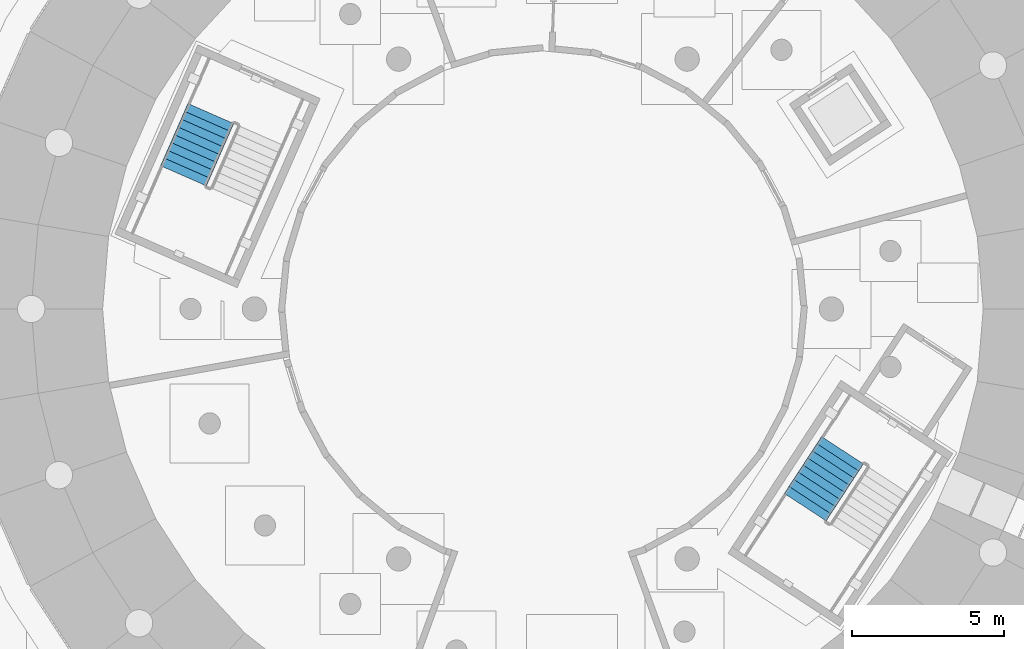
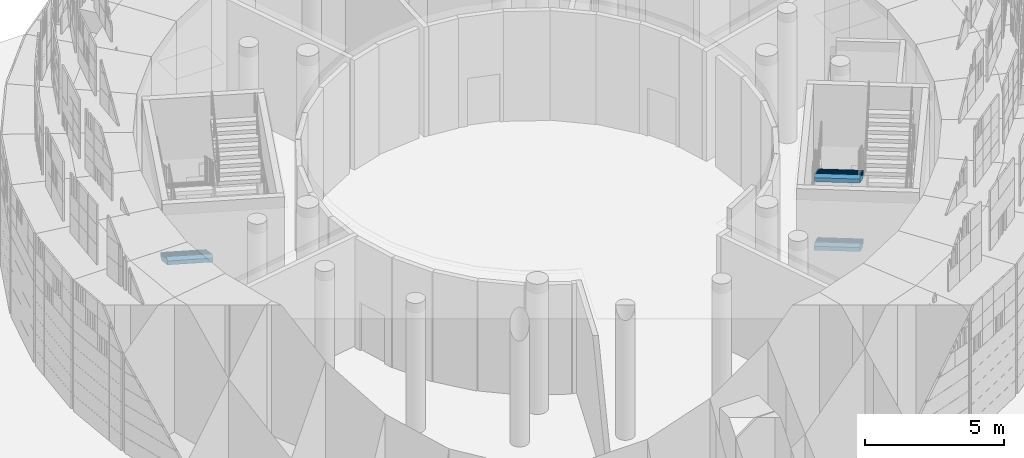
# One storey, part 68 of 125: 3 stair flights, 2 elements without a shape of their own.
"""IFC4 building model written with IfcOpenShell, lengths in metres."""

import ifcopenshell
import ifcopenshell.guid

model = None  # the IFC model being written
_history = None  # IfcOwnerHistory: only IFC2X3 demands one
_inside = {}  # id of a spatial element -> (the spatial element, [elements in it])
_under = {}  # id of a project, library or spatial element -> (it, [spatial elements below it])
_declared = {}  # id of a project -> (the project, [libraries it declares])
_typed = {}  # id of a type object -> (the type object, [elements of that type])
_made_of = {}  # id of a material, layer set ... -> (it, [elements and type objects made of it])


def new_model(schema):
    """Start an empty IFC model of exactly this schema.

    Asked for "IFC4X3", IfcOpenShell would pick the latest addendum, in which some entities
    have other attributes; the version numbers below select the first issue.
    IFC2X3 requires an IfcOwnerHistory on every rooted entity: one is made here for all.
    """
    global model, _history
    if schema == "IFC4X3":
        model = ifcopenshell.file(schema_version=(4, 3, 0, 0))
    else:
        model = ifcopenshell.file(schema=schema)
    _inside.clear()
    _under.clear()
    _declared.clear()
    _typed.clear()
    _made_of.clear()
    _history = None
    if model.schema == "IFC2X3":
        org = make("IfcOrganization", Name="unknown")
        user = make(
            "IfcPersonAndOrganization",
            ThePerson=make("IfcPerson", FamilyName="unknown"),
            TheOrganization=org,
        )
        app = make(
            "IfcApplication",
            ApplicationDeveloper=org,
            Version="unknown",
            ApplicationFullName="unknown",
            ApplicationIdentifier="unknown",
        )
        _history = make(
            "IfcOwnerHistory",
            OwningUser=user,
            OwningApplication=app,
            ChangeAction="ADDED",
            CreationDate=0,
        )
    return model


def make(cls, **values):
    """One entity of the class cls with the attributes given. An attribute that is None is left unset."""
    return model.create_entity(
        cls, **{name: value for name, value in values.items() if value is not None}
    )


def rooted(cls, **values):
    """An entity with a GlobalId (a new one), such as an element, a storey or a relation."""
    return make(cls, GlobalId=ifcopenshell.guid.new(), OwnerHistory=_history, **values)


def si_unit(unit_type, name, prefix=None):
    """IfcSIUnit, for example si_unit("LENGTHUNIT", "METRE", prefix="MILLI")."""
    return make("IfcSIUnit", UnitType=unit_type, Prefix=prefix, Name=name)


def assignment(units):
    """IfcUnitAssignment: the units of a project."""
    return None if units is None else make("IfcUnitAssignment", Units=units)


def point(xyz):
    """IfcCartesianPoint."""
    return None if xyz is None else make("IfcCartesianPoint", Coordinates=xyz)


def direction(xyz):
    """IfcDirection."""
    return None if xyz is None else make("IfcDirection", DirectionRatios=xyz)


def frame(location, z_axis=None, x_axis=None):
    """IfcAxis2Placement3D, a coordinate frame: its origin and axes. An axis left out is left unset."""
    return make(
        "IfcAxis2Placement3D",
        Location=point(location),
        Axis=direction(z_axis),
        RefDirection=direction(x_axis),
    )


def origin():
    """The frame at (0, 0, 0) with its axes left unset."""
    return frame((0.0, 0.0, 0.0))


def place(relative_to, where):
    """IfcLocalPlacement: puts the frame where relative to a parent placement (None: the world)."""
    return make(
        "IfcLocalPlacement", PlacementRelTo=relative_to, RelativePlacement=where
    )


def context(
    kind, dimensions, precision=None, world=None, true_north=None, identifier=None
):
    """IfcGeometricRepresentationContext, for example the 3D "Model" context."""
    return make(
        "IfcGeometricRepresentationContext",
        ContextIdentifier=identifier,
        ContextType=kind,
        CoordinateSpaceDimension=dimensions,
        Precision=precision,
        WorldCoordinateSystem=world,
        TrueNorth=true_north,
    )


def subcontext(parent, identifier, kind, view, scale=None):
    """IfcGeometricRepresentationSubContext, for example "Body" below "Model"."""
    return make(
        "IfcGeometricRepresentationSubContext",
        ContextIdentifier=identifier,
        ContextType=kind,
        ParentContext=parent,
        TargetScale=scale,
        TargetView=view,
    )


def project(units=None, contexts=None):
    """IfcProject with its units and contexts."""
    return rooted(
        "IfcProject",
        Name="project",
        RepresentationContexts=contexts,
        UnitsInContext=assignment(units),
    )


def spatial(cls, under=None, at=None, **own):
    """A site, building, storey or space (cls), placed at a placement, below another one or the project."""
    s = rooted(cls, ObjectPlacement=at, **own)
    if under is not None:
        _under.setdefault(under.id(), (under, []))[1].append(s)
    return s


def polyline(points):
    """IfcPolyline through the points."""
    return make("IfcPolyline", Points=[point(p) for p in points])


def outline(outer, holes=None, kind="AREA"):
    """IfcArbitraryClosedProfileDef: a profile drawn as a closed curve; with holes, ...WithVoids."""
    if holes is None:
        return make("IfcArbitraryClosedProfileDef", ProfileType=kind, OuterCurve=outer)
    return make(
        "IfcArbitraryProfileDefWithVoids",
        ProfileType=kind,
        OuterCurve=outer,
        InnerCurves=holes,
    )


def extrude(swept, where, along, depth):
    """IfcExtrudedAreaSolid: the profile swept, set in the frame where, extruded along a direction by depth."""
    return make(
        "IfcExtrudedAreaSolid",
        SweptArea=swept,
        Position=where,
        ExtrudedDirection=direction(along),
        Depth=depth,
    )


def shape(context_of_items, identifier, shape_type, items):
    """IfcShapeRepresentation: the items that make up one representation, for example the "Body"."""
    return make(
        "IfcShapeRepresentation",
        ContextOfItems=context_of_items,
        RepresentationIdentifier=identifier,
        RepresentationType=shape_type,
        Items=items,
    )


def material(Name=None, Category=None):
    """IfcMaterial."""
    return make("IfcMaterial", Name=Name, Category=Category)


def made_of(thing, what):
    """Note that an element or type object is made of a material, layer set ...; save() writes the relation."""
    if what is not None:
        _made_of.setdefault(what.id(), (what, []))[1].append(thing)
    return thing


def type_object(cls, material=None, **own):
    """A type object (cls), such as IfcWallType, which elements share."""
    return made_of(rooted(cls, **own), material)


def element(
    cls,
    number,
    at=None,
    inside=None,
    cuts=None,
    type_object=None,
    material=None,
    context=None,
    identifier="Body",
    shape_type=None,
    held_by="IfcProductDefinitionShape",
    body=None,
    shapes=None,
    **own,
):
    """One element of the class cls, such as IfcWall. Its Tag is "e" and its number.

    at: its placement. inside: the storey or other place that contains it. cuts: it is an
    opening in that element (IfcRelVoidsElement). A single representation is given by context,
    identifier, shape_type and body (its items); several are given by shapes. held_by: the class
    of the entity that holds the representations. save() writes the other relations.
    """
    e = rooted(cls, Tag="e%d" % number, ObjectPlacement=at, **own)
    if body is not None:
        shapes = [shape(context, identifier, shape_type, body)]
    if shapes is not None:
        e.Representation = make(held_by, Representations=shapes)
    if inside is not None:
        _inside.setdefault(inside.id(), (inside, []))[1].append(e)
    if cuts is not None:
        rooted(
            "IfcRelVoidsElement", RelatingBuildingElement=cuts, RelatedOpeningElement=e
        )
    if type_object is not None:
        _typed.setdefault(type_object.id(), (type_object, []))[1].append(e)
    return made_of(e, material)


def aggregate(whole, parts):
    """IfcRelAggregates: a whole, such as a stair, and the parts it consists of."""
    return rooted("IfcRelAggregates", RelatingObject=whole, RelatedObjects=parts)


def save(model, path):
    """Write the relations noted so far, then the file.

    IfcRelAggregates (storeys below a building ...), IfcRelContainedInSpatialStructure (elements
    in a storey), IfcRelDefinesByType, IfcRelAssociatesMaterial and IfcRelDeclares: one each for
    every whole, place, type object, material and project.
    """
    for whole, parts in _under.values():
        aggregate(whole, parts)
    for where, things in _inside.values():
        rooted(
            "IfcRelContainedInSpatialStructure",
            RelatedElements=things,
            RelatingStructure=where,
        )
    for kind, things in _typed.values():
        rooted("IfcRelDefinesByType", RelatedObjects=things, RelatingType=kind)
    for what, things in _made_of.values():
        rooted("IfcRelAssociatesMaterial", RelatedObjects=things, RelatingMaterial=what)
    for by, libraries in _declared.values():
        rooted("IfcRelDeclares", RelatingContext=by, RelatedDefinitions=libraries)
    model.write(path)


model = new_model("IFC4")

# Units and contexts
model_context = context("Model", 3, precision=1e-05, world=origin(), true_north=direction((0.0, 1.0)))
body_context = subcontext(model_context, "Body", "Model", "MODEL_VIEW")
ifc_project = project(units=[si_unit("LENGTHUNIT", "METRE"), si_unit("AREAUNIT", "SQUARE_METRE"), si_unit("VOLUMEUNIT", "CUBIC_METRE"), si_unit("PLANEANGLEUNIT", "RADIAN"), si_unit("MASSUNIT", "GRAM", prefix="KILO")], contexts=[model_context])

# Site, building, storey
site_placement = place(None, origin())
site = spatial("IfcSite", under=ifc_project, at=site_placement, CompositionType="ELEMENT")
building_placement = place(site_placement, origin())
building = spatial("IfcBuilding", under=site, at=building_placement, Name="Sun Court Science Centre", CompositionType="ELEMENT")
storey_placement = place(building_placement, origin())
storey = spatial("IfcBuildingStorey", under=building, at=storey_placement, Name="L00", CompositionType="ELEMENT", Elevation=0.0)

# Stair, stair flights
ifc_material_1 = material(Name="Concrete C25/30", Category="concrete")
stair_type = type_object("IfcStairType", Name="Stair 1500 drum half-turn", PredefinedType="HALF_TURN_STAIR", material=ifc_material_1)
stair_1_placement = place(storey_placement, origin())
stair_1 = element("IfcStair", 1, at=stair_1_placement, inside=storey, type_object=stair_type, Name="L00 Stair PS1", PredefinedType="HALF_TURN_STAIR")
ifc_material_2 = material(Name="Concrete C25/30", Category="concrete")
stair_flight_type = type_object("IfcStairFlightType", Name="Stair flight 1500 with waist", PredefinedType="STRAIGHT", material=ifc_material_2)
stair_flight_1_placement = place(storey_placement, frame((60.86376953125, 92.14990234375, 0.0), z_axis=(0.0, 0.0, 1.0), x_axis=(-0.546948161968, -0.83716647575, 0.0)))
stair_flight_1 = element("IfcStairFlight", 2, at=stair_flight_1_placement, type_object=stair_flight_type, Name="PS1 flight 1", NumberOfRisers=9, NumberOfTreads=8, PredefinedType="STRAIGHT", RiserHeight=0.166666667, TreadLength=0.28, context=body_context, shape_type="SweptSolid", body=[
    extrude(outline(polyline([(0.0, 0.0), (0.0, 0.00244140625), (0.0, 0.0048828125), (0.0, 0.00732421875), (0.0, 0.009765625), (0.0, 0.01220703125), (0.0, 0.0146484375), (0.0, 0.01708984375), (0.0, 0.01953125), (0.0, 0.02197265625), (0.0, 0.0244140625), (0.0, 0.02685546875), (0.0, 0.029296875), (0.0, 0.03173828125), (0.0, 0.0341796875), (0.0, 0.03662109375), (0.0, 0.0390625), (0.0, 0.04150390625), (0.0, 0.0439453125), (0.0, 0.04638671875), (0.0, 0.048828125), (0.0, 0.05126953125), (0.0, 0.0537109375), (0.0, 0.05615234375), (0.0, 0.05859375), (0.0, 0.06103515625), (0.0, 0.0634765625), (0.0, 0.06591796875), (0.0, 0.068359375), (0.0, 0.07080078125), (0.0, 0.0732421875), (0.0, 0.07568359375), (0.0, 0.078125), (0.0, 0.08056640625), (0.0, 0.0830078125), (0.0, 0.08544921875), (0.0, 0.087890625), (0.0, 0.09033203125), (0.0, 0.0927734375), (0.0, 0.09521484375), (0.0, 0.09765625), (0.0, 0.10009765625), (0.0, 0.1025390625), (0.0, 0.10498046875), (0.0, 0.107421875), (0.0, 0.10986328125), (0.0, 0.1123046875), (0.0, 0.11474609375), (0.0, 0.1171875), (0.0, 0.11962890625), (0.0, 0.1220703125), (0.0, 0.12451171875), (0.0, 0.126953125), (0.0, 0.12939453125), (0.0, 0.1318359375), (0.0, 0.13427734375), (0.0, 0.13671875), (0.0, 0.13916015625), (0.0, 0.1416015625), (0.0, 0.14404296875), (0.0, 0.146484375), (0.0, 0.14892578125), (0.0, 0.1513671875), (0.0, 0.15380859375), (0.0, 0.15625), (0.0, 0.15869140625), (0.0, 0.1611328125), (0.0, 0.16357421875), (0.0, 0.166748046875), (0.280029296875, 0.166748046875), (0.280029296875, 0.333251953125), (0.56005859375, 0.333251953125), (0.56005859375, 0.5), (0.840087890625, 0.5), (0.840087890625, 0.666748046875), (1.1201171875, 0.666748046875), (1.1201171875, 0.833251953125), (1.39990234375, 0.833251953125), (1.39990234375, 1.0), (1.679931640625, 1.0), (1.679931640625, 1.166748046875), (1.9599609375, 1.166748046875), (1.9599609375, 1.333251953125), (2.239990234375, 1.333251953125), (2.239990234375, 1.335693359375), (2.239990234375, 1.338134765625), (2.239990234375, 1.340576171875), (2.239990234375, 1.343017578125), (2.239990234375, 1.345458984375), (2.239990234375, 1.347900390625), (2.239990234375, 1.350341796875), (2.239990234375, 1.352783203125), (2.239990234375, 1.355224609375), (2.239990234375, 1.357666015625), (2.239990234375, 1.360107421875), (2.239990234375, 1.362548828125), (2.239990234375, 1.364990234375), (2.239990234375, 1.367431640625), (2.239990234375, 1.369873046875), (2.239990234375, 1.372314453125), (2.239990234375, 1.374755859375), (2.239990234375, 1.377197265625), (2.239990234375, 1.379638671875), (2.239990234375, 1.382080078125), (2.239990234375, 1.384521484375), (2.239990234375, 1.386962890625), (2.239990234375, 1.389404296875), (2.239990234375, 1.391845703125), (2.239990234375, 1.394287109375), (2.239990234375, 1.396728515625), (2.239990234375, 1.399169921875), (2.239990234375, 1.401611328125), (2.239990234375, 1.404052734375), (2.239990234375, 1.406494140625), (2.239990234375, 1.408935546875), (2.239990234375, 1.411376953125), (2.239990234375, 1.413818359375), (2.239990234375, 1.416259765625), (2.239990234375, 1.418701171875), (2.239990234375, 1.421142578125), (2.239990234375, 1.423583984375), (2.239990234375, 1.426025390625), (2.239990234375, 1.428466796875), (2.239990234375, 1.430908203125), (2.239990234375, 1.433349609375), (2.239990234375, 1.435791015625), (2.239990234375, 1.438232421875), (2.239990234375, 1.440673828125), (2.239990234375, 1.443115234375), (2.239990234375, 1.445556640625), (2.239990234375, 1.447998046875), (2.239990234375, 1.450439453125), (2.239990234375, 1.452880859375), (2.239990234375, 1.455322265625), (2.239990234375, 1.457763671875), (2.239990234375, 1.460205078125), (2.239990234375, 1.462646484375), (2.239990234375, 1.465087890625), (2.239990234375, 1.467529296875), (2.239990234375, 1.469970703125), (2.239990234375, 1.472412109375), (2.239990234375, 1.474853515625), (2.239990234375, 1.477294921875), (2.239990234375, 1.479736328125), (2.239990234375, 1.482177734375), (2.239990234375, 1.484619140625), (2.239990234375, 1.487060546875), (2.239990234375, 1.489501953125), (2.239990234375, 1.491943359375), (2.239990234375, 1.494384765625), (2.239990234375, 1.496826171875), (2.239990234375, 1.5), (2.239990234375, 1.49755859375), (2.239990234375, 1.4951171875), (2.239990234375, 1.49267578125), (2.239990234375, 1.490234375), (2.239990234375, 1.48779296875), (2.239990234375, 1.4853515625), (2.239990234375, 1.48291015625), (2.239990234375, 1.48046875), (2.239990234375, 1.47802734375), (2.239990234375, 1.4755859375), (2.239990234375, 1.47314453125), (2.239990234375, 1.470703125), (2.239990234375, 1.46826171875), (2.239990234375, 1.4658203125), (2.239990234375, 1.46337890625), (2.239990234375, 1.4609375), (2.239990234375, 1.45849609375), (2.239990234375, 1.4560546875), (2.239990234375, 1.45361328125), (2.239990234375, 1.451171875), (2.239990234375, 1.44873046875), (2.239990234375, 1.4462890625), (2.239990234375, 1.44384765625), (2.239990234375, 1.44140625), (2.239990234375, 1.43896484375), (2.239990234375, 1.4365234375), (2.239990234375, 1.43408203125), (2.239990234375, 1.431640625), (2.239990234375, 1.42919921875), (2.239990234375, 1.4267578125), (2.239990234375, 1.42431640625), (2.239990234375, 1.421875), (2.239990234375, 1.41943359375), (2.239990234375, 1.4169921875), (2.239990234375, 1.41455078125), (2.239990234375, 1.412109375), (2.239990234375, 1.40966796875), (2.239990234375, 1.4072265625), (2.239990234375, 1.40478515625), (2.239990234375, 1.40234375), (2.239990234375, 1.39990234375), (2.239990234375, 1.3974609375), (2.239990234375, 1.39501953125), (2.239990234375, 1.392578125), (2.239990234375, 1.39013671875), (2.239990234375, 1.3876953125), (2.239990234375, 1.38525390625), (2.239990234375, 1.3828125), (2.239990234375, 1.38037109375), (2.239990234375, 1.3779296875), (2.239990234375, 1.37548828125), (2.239990234375, 1.373046875), (2.239990234375, 1.37060546875), (2.239990234375, 1.3681640625), (2.239990234375, 1.36572265625), (2.239990234375, 1.36328125), (2.239990234375, 1.36083984375), (2.239990234375, 1.3583984375), (2.239990234375, 1.35595703125), (2.239990234375, 1.353515625), (2.239990234375, 1.35107421875), (2.239990234375, 1.3486328125), (2.239990234375, 1.34619140625), (2.239990234375, 1.34375), (2.239990234375, 1.34130859375), (2.239990234375, 1.3388671875), (2.239990234375, 1.33642578125), (2.239990234375, 1.333984375), (2.239990234375, 1.33154296875), (2.239990234375, 1.3291015625), (2.239990234375, 1.32666015625), (2.239990234375, 1.32421875), (2.239990234375, 1.32177734375), (2.239990234375, 1.3193359375), (2.239990234375, 1.31689453125), (2.239990234375, 1.314453125), (2.239990234375, 1.31201171875), (2.239990234375, 1.3095703125), (2.239990234375, 1.30712890625), (2.239990234375, 1.3046875), (2.239990234375, 1.30224609375), (2.239990234375, 1.2998046875), (2.239990234375, 1.29736328125), (2.239990234375, 1.294921875), (2.239990234375, 1.29248046875), (2.239990234375, 1.2900390625), (2.239990234375, 1.28759765625), (2.239990234375, 1.28515625), (2.239990234375, 1.28271484375), (2.239990234375, 1.2802734375), (2.239990234375, 1.27783203125), (2.239990234375, 1.275390625), (2.239990234375, 1.27294921875), (2.239990234375, 1.2705078125), (2.239990234375, 1.26806640625), (2.239990234375, 1.265625), (2.239990234375, 1.26318359375), (2.239990234375, 1.2607421875), (2.239990234375, 1.25830078125), (2.239990234375, 1.255859375), (2.239990234375, 1.25341796875), (2.239990234375, 1.2509765625), (2.239990234375, 1.24853515625), (2.239990234375, 1.24609375), (2.239990234375, 1.24365234375), (2.239990234375, 1.2412109375), (2.239990234375, 1.23876953125), (2.239990234375, 1.236328125), (2.239990234375, 1.23388671875), (2.239990234375, 1.2314453125), (2.239990234375, 1.22900390625), (2.239990234375, 1.2265625), (2.239990234375, 1.22412109375), (2.239990234375, 1.2216796875), (2.239990234375, 1.21923828125), (2.239990234375, 1.216796875), (2.239990234375, 1.21435546875), (2.239990234375, 1.2119140625), (2.239990234375, 1.20947265625), (2.239990234375, 1.20703125), (2.239990234375, 1.20458984375), (2.239990234375, 1.2021484375), (2.239990234375, 1.19970703125), (2.239990234375, 1.197265625), (2.239990234375, 1.19482421875), (2.239990234375, 1.1923828125), (2.239990234375, 1.18994140625), (2.239990234375, 1.1875), (2.239990234375, 1.18505859375), (2.239990234375, 1.1826171875), (2.239990234375, 1.18017578125), (2.239990234375, 1.177734375), (2.239990234375, 1.17529296875), (2.239990234375, 1.1728515625), (2.239990234375, 1.17041015625), (2.239990234375, 1.16796875), (2.239990234375, 1.16552734375), (2.239990234375, 1.1630859375), (2.239990234375, 1.158935546875), (0.29296875, 0.0), (0.0, 0.0)])), frame((0.0, 0.823974609375, 0.0), z_axis=(0.0, -1.0, 0.0), x_axis=(1.0, 0.0, 0.0)), (0.0, 0.0, 1.0), 1.64794921875),
])
stair_flight_2_placement = place(storey_placement, frame((60.86376953125, 92.14990234375, 3.0), z_axis=(0.0, 0.0, 1.0), x_axis=(-0.546948161968, -0.83716647575, 0.0)))
stair_flight_2 = element("IfcStairFlight", 3, at=stair_flight_2_placement, type_object=stair_flight_type, Name="PS1 flight 3", NumberOfRisers=9, NumberOfTreads=8, PredefinedType="STRAIGHT", RiserHeight=0.166666667, TreadLength=0.28, context=body_context, shape_type="SweptSolid", body=[
    extrude(outline(polyline([(0.0, 0.0), (0.0, 0.00244140625), (0.0, 0.0048828125), (0.0, 0.00732421875), (0.0, 0.009765625), (0.0, 0.01220703125), (0.0, 0.0146484375), (0.0, 0.01708984375), (0.0, 0.01953125), (0.0, 0.02197265625), (0.0, 0.0244140625), (0.0, 0.02685546875), (0.0, 0.029296875), (0.0, 0.03173828125), (0.0, 0.0341796875), (0.0, 0.03662109375), (0.0, 0.0390625), (0.0, 0.04150390625), (0.0, 0.0439453125), (0.0, 0.04638671875), (0.0, 0.048828125), (0.0, 0.05126953125), (0.0, 0.0537109375), (0.0, 0.05615234375), (0.0, 0.05859375), (0.0, 0.06103515625), (0.0, 0.0634765625), (0.0, 0.06591796875), (0.0, 0.068359375), (0.0, 0.07080078125), (0.0, 0.0732421875), (0.0, 0.07568359375), (0.0, 0.078125), (0.0, 0.08056640625), (0.0, 0.0830078125), (0.0, 0.08544921875), (0.0, 0.087890625), (0.0, 0.09033203125), (0.0, 0.0927734375), (0.0, 0.09521484375), (0.0, 0.09765625), (0.0, 0.10009765625), (0.0, 0.1025390625), (0.0, 0.10498046875), (0.0, 0.107421875), (0.0, 0.10986328125), (0.0, 0.1123046875), (0.0, 0.11474609375), (0.0, 0.1171875), (0.0, 0.11962890625), (0.0, 0.1220703125), (0.0, 0.12451171875), (0.0, 0.126953125), (0.0, 0.12939453125), (0.0, 0.1318359375), (0.0, 0.13427734375), (0.0, 0.13671875), (0.0, 0.13916015625), (0.0, 0.1416015625), (0.0, 0.14404296875), (0.0, 0.146484375), (0.0, 0.14892578125), (0.0, 0.1513671875), (0.0, 0.15380859375), (0.0, 0.15625), (0.0, 0.15869140625), (0.0, 0.1611328125), (0.0, 0.16357421875), (0.0, 0.166748046875), (0.280029296875, 0.166748046875), (0.280029296875, 0.333251953125), (0.56005859375, 0.333251953125), (0.56005859375, 0.5), (0.840087890625, 0.5), (0.840087890625, 0.666748046875), (1.1201171875, 0.666748046875), (1.1201171875, 0.833251953125), (1.39990234375, 0.833251953125), (1.39990234375, 1.0), (1.679931640625, 1.0), (1.679931640625, 1.166748046875), (1.9599609375, 1.166748046875), (1.9599609375, 1.333251953125), (2.239990234375, 1.333251953125), (2.239990234375, 1.335693359375), (2.239990234375, 1.338134765625), (2.239990234375, 1.340576171875), (2.239990234375, 1.343017578125), (2.239990234375, 1.345458984375), (2.239990234375, 1.347900390625), (2.239990234375, 1.350341796875), (2.239990234375, 1.352783203125), (2.239990234375, 1.355224609375), (2.239990234375, 1.357666015625), (2.239990234375, 1.360107421875), (2.239990234375, 1.362548828125), (2.239990234375, 1.364990234375), (2.239990234375, 1.367431640625), (2.239990234375, 1.369873046875), (2.239990234375, 1.372314453125), (2.239990234375, 1.374755859375), (2.239990234375, 1.377197265625), (2.239990234375, 1.379638671875), (2.239990234375, 1.382080078125), (2.239990234375, 1.384521484375), (2.239990234375, 1.386962890625), (2.239990234375, 1.389404296875), (2.239990234375, 1.391845703125), (2.239990234375, 1.394287109375), (2.239990234375, 1.396728515625), (2.239990234375, 1.399169921875), (2.239990234375, 1.401611328125), (2.239990234375, 1.404052734375), (2.239990234375, 1.406494140625), (2.239990234375, 1.408935546875), (2.239990234375, 1.411376953125), (2.239990234375, 1.413818359375), (2.239990234375, 1.416259765625), (2.239990234375, 1.418701171875), (2.239990234375, 1.421142578125), (2.239990234375, 1.423583984375), (2.239990234375, 1.426025390625), (2.239990234375, 1.428466796875), (2.239990234375, 1.430908203125), (2.239990234375, 1.433349609375), (2.239990234375, 1.435791015625), (2.239990234375, 1.438232421875), (2.239990234375, 1.440673828125), (2.239990234375, 1.443115234375), (2.239990234375, 1.445556640625), (2.239990234375, 1.447998046875), (2.239990234375, 1.450439453125), (2.239990234375, 1.452880859375), (2.239990234375, 1.455322265625), (2.239990234375, 1.457763671875), (2.239990234375, 1.460205078125), (2.239990234375, 1.462646484375), (2.239990234375, 1.465087890625), (2.239990234375, 1.467529296875), (2.239990234375, 1.469970703125), (2.239990234375, 1.472412109375), (2.239990234375, 1.474853515625), (2.239990234375, 1.477294921875), (2.239990234375, 1.479736328125), (2.239990234375, 1.482177734375), (2.239990234375, 1.484619140625), (2.239990234375, 1.487060546875), (2.239990234375, 1.489501953125), (2.239990234375, 1.491943359375), (2.239990234375, 1.494384765625), (2.239990234375, 1.496826171875), (2.239990234375, 1.5), (2.239990234375, 1.49755859375), (2.239990234375, 1.4951171875), (2.239990234375, 1.49267578125), (2.239990234375, 1.490234375), (2.239990234375, 1.48779296875), (2.239990234375, 1.4853515625), (2.239990234375, 1.48291015625), (2.239990234375, 1.48046875), (2.239990234375, 1.47802734375), (2.239990234375, 1.4755859375), (2.239990234375, 1.47314453125), (2.239990234375, 1.470703125), (2.239990234375, 1.46826171875), (2.239990234375, 1.4658203125), (2.239990234375, 1.46337890625), (2.239990234375, 1.4609375), (2.239990234375, 1.45849609375), (2.239990234375, 1.4560546875), (2.239990234375, 1.45361328125), (2.239990234375, 1.451171875), (2.239990234375, 1.44873046875), (2.239990234375, 1.4462890625), (2.239990234375, 1.44384765625), (2.239990234375, 1.44140625), (2.239990234375, 1.43896484375), (2.239990234375, 1.4365234375), (2.239990234375, 1.43408203125), (2.239990234375, 1.431640625), (2.239990234375, 1.42919921875), (2.239990234375, 1.4267578125), (2.239990234375, 1.42431640625), (2.239990234375, 1.421875), (2.239990234375, 1.41943359375), (2.239990234375, 1.4169921875), (2.239990234375, 1.41455078125), (2.239990234375, 1.412109375), (2.239990234375, 1.40966796875), (2.239990234375, 1.4072265625), (2.239990234375, 1.40478515625), (2.239990234375, 1.40234375), (2.239990234375, 1.39990234375), (2.239990234375, 1.3974609375), (2.239990234375, 1.39501953125), (2.239990234375, 1.392578125), (2.239990234375, 1.39013671875), (2.239990234375, 1.3876953125), (2.239990234375, 1.38525390625), (2.239990234375, 1.3828125), (2.239990234375, 1.38037109375), (2.239990234375, 1.3779296875), (2.239990234375, 1.37548828125), (2.239990234375, 1.373046875), (2.239990234375, 1.37060546875), (2.239990234375, 1.3681640625), (2.239990234375, 1.36572265625), (2.239990234375, 1.36328125), (2.239990234375, 1.36083984375), (2.239990234375, 1.3583984375), (2.239990234375, 1.35595703125), (2.239990234375, 1.353515625), (2.239990234375, 1.35107421875), (2.239990234375, 1.3486328125), (2.239990234375, 1.34619140625), (2.239990234375, 1.34375), (2.239990234375, 1.34130859375), (2.239990234375, 1.3388671875), (2.239990234375, 1.33642578125), (2.239990234375, 1.333984375), (2.239990234375, 1.33154296875), (2.239990234375, 1.3291015625), (2.239990234375, 1.32666015625), (2.239990234375, 1.32421875), (2.239990234375, 1.32177734375), (2.239990234375, 1.3193359375), (2.239990234375, 1.31689453125), (2.239990234375, 1.314453125), (2.239990234375, 1.31201171875), (2.239990234375, 1.3095703125), (2.239990234375, 1.30712890625), (2.239990234375, 1.3046875), (2.239990234375, 1.30224609375), (2.239990234375, 1.2998046875), (2.239990234375, 1.29736328125), (2.239990234375, 1.294921875), (2.239990234375, 1.29248046875), (2.239990234375, 1.2900390625), (2.239990234375, 1.28759765625), (2.239990234375, 1.28515625), (2.239990234375, 1.28271484375), (2.239990234375, 1.2802734375), (2.239990234375, 1.27783203125), (2.239990234375, 1.275390625), (2.239990234375, 1.27294921875), (2.239990234375, 1.2705078125), (2.239990234375, 1.26806640625), (2.239990234375, 1.265625), (2.239990234375, 1.26318359375), (2.239990234375, 1.2607421875), (2.239990234375, 1.25830078125), (2.239990234375, 1.255859375), (2.239990234375, 1.25341796875), (2.239990234375, 1.2509765625), (2.239990234375, 1.24853515625), (2.239990234375, 1.24609375), (2.239990234375, 1.24365234375), (2.239990234375, 1.2412109375), (2.239990234375, 1.23876953125), (2.239990234375, 1.236328125), (2.239990234375, 1.23388671875), (2.239990234375, 1.2314453125), (2.239990234375, 1.22900390625), (2.239990234375, 1.2265625), (2.239990234375, 1.22412109375), (2.239990234375, 1.2216796875), (2.239990234375, 1.21923828125), (2.239990234375, 1.216796875), (2.239990234375, 1.21435546875), (2.239990234375, 1.2119140625), (2.239990234375, 1.20947265625), (2.239990234375, 1.20703125), (2.239990234375, 1.20458984375), (2.239990234375, 1.2021484375), (2.239990234375, 1.19970703125), (2.239990234375, 1.197265625), (2.239990234375, 1.19482421875), (2.239990234375, 1.1923828125), (2.239990234375, 1.18994140625), (2.239990234375, 1.1875), (2.239990234375, 1.18505859375), (2.239990234375, 1.1826171875), (2.239990234375, 1.18017578125), (2.239990234375, 1.177734375), (2.239990234375, 1.17529296875), (2.239990234375, 1.1728515625), (2.239990234375, 1.17041015625), (2.239990234375, 1.16796875), (2.239990234375, 1.16552734375), (2.239990234375, 1.1630859375), (2.239990234375, 1.158935546875), (0.29296875, 0.0), (0.0, 0.0)])), frame((0.0, 0.823974609375, 0.0), z_axis=(0.0, -1.0, 0.0), x_axis=(1.0, 0.0, 0.0)), (0.0, 0.0, 1.0), 1.64794921875),
])
aggregate(stair_1, [stair_flight_1, stair_flight_2])

# Stair, stair flight
stair_2_placement = place(storey_placement, origin())
stair_2 = element("IfcStair", 4, at=stair_2_placement, inside=storey, type_object=stair_type, Name="L00 Stair PS2", PredefinedType="HALF_TURN_STAIR")
stair_flight_3_placement = place(storey_placement, frame((40.0654296875, 103.236572265625, 0.0), z_axis=(0.0, 0.0, 1.0), x_axis=(-0.401695432224, -0.915773323334, 0.0)))
stair_flight_3 = element("IfcStairFlight", 5, at=stair_flight_3_placement, type_object=stair_flight_type, Name="PS2 flight 1", NumberOfRisers=9, NumberOfTreads=8, PredefinedType="STRAIGHT", RiserHeight=0.166666667, TreadLength=0.28, context=body_context, shape_type="SweptSolid", body=[
    extrude(outline(polyline([(0.0, 0.0), (0.0, 0.00244140625), (0.0, 0.0048828125), (0.0, 0.00732421875), (0.0, 0.009765625), (0.0, 0.01220703125), (0.0, 0.0146484375), (0.0, 0.01708984375), (0.0, 0.01953125), (0.0, 0.02197265625), (0.0, 0.0244140625), (0.0, 0.02685546875), (0.0, 0.029296875), (0.0, 0.03173828125), (0.0, 0.0341796875), (0.0, 0.03662109375), (0.0, 0.0390625), (0.0, 0.04150390625), (0.0, 0.0439453125), (0.0, 0.04638671875), (0.0, 0.048828125), (0.0, 0.05126953125), (0.0, 0.0537109375), (0.0, 0.05615234375), (0.0, 0.05859375), (0.0, 0.06103515625), (0.0, 0.0634765625), (0.0, 0.06591796875), (0.0, 0.068359375), (0.0, 0.07080078125), (0.0, 0.0732421875), (0.0, 0.07568359375), (0.0, 0.078125), (0.0, 0.08056640625), (0.0, 0.0830078125), (0.0, 0.08544921875), (0.0, 0.087890625), (0.0, 0.09033203125), (0.0, 0.0927734375), (0.0, 0.09521484375), (0.0, 0.09765625), (0.0, 0.10009765625), (0.0, 0.1025390625), (0.0, 0.10498046875), (0.0, 0.107421875), (0.0, 0.10986328125), (0.0, 0.1123046875), (0.0, 0.11474609375), (0.0, 0.1171875), (0.0, 0.11962890625), (0.0, 0.1220703125), (0.0, 0.12451171875), (0.0, 0.126953125), (0.0, 0.12939453125), (0.0, 0.1318359375), (0.0, 0.13427734375), (0.0, 0.13671875), (0.0, 0.13916015625), (0.0, 0.1416015625), (0.0, 0.14404296875), (0.0, 0.146484375), (0.0, 0.14892578125), (0.0, 0.1513671875), (0.0, 0.15380859375), (0.0, 0.15625), (0.0, 0.15869140625), (0.0, 0.1611328125), (0.0, 0.16357421875), (0.0, 0.166748046875), (0.280029296875, 0.166748046875), (0.280029296875, 0.333251953125), (0.56005859375, 0.333251953125), (0.56005859375, 0.5), (0.840087890625, 0.5), (0.840087890625, 0.666748046875), (1.1201171875, 0.666748046875), (1.1201171875, 0.833251953125), (1.39990234375, 0.833251953125), (1.39990234375, 1.0), (1.679931640625, 1.0), (1.679931640625, 1.166748046875), (1.9599609375, 1.166748046875), (1.9599609375, 1.333251953125), (2.239990234375, 1.333251953125), (2.239990234375, 1.335693359375), (2.239990234375, 1.338134765625), (2.239990234375, 1.340576171875), (2.239990234375, 1.343017578125), (2.239990234375, 1.345458984375), (2.239990234375, 1.347900390625), (2.239990234375, 1.350341796875), (2.239990234375, 1.352783203125), (2.239990234375, 1.355224609375), (2.239990234375, 1.357666015625), (2.239990234375, 1.360107421875), (2.239990234375, 1.362548828125), (2.239990234375, 1.364990234375), (2.239990234375, 1.367431640625), (2.239990234375, 1.369873046875), (2.239990234375, 1.372314453125), (2.239990234375, 1.374755859375), (2.239990234375, 1.377197265625), (2.239990234375, 1.379638671875), (2.239990234375, 1.382080078125), (2.239990234375, 1.384521484375), (2.239990234375, 1.386962890625), (2.239990234375, 1.389404296875), (2.239990234375, 1.391845703125), (2.239990234375, 1.394287109375), (2.239990234375, 1.396728515625), (2.239990234375, 1.399169921875), (2.239990234375, 1.401611328125), (2.239990234375, 1.404052734375), (2.239990234375, 1.406494140625), (2.239990234375, 1.408935546875), (2.239990234375, 1.411376953125), (2.239990234375, 1.413818359375), (2.239990234375, 1.416259765625), (2.239990234375, 1.418701171875), (2.239990234375, 1.421142578125), (2.239990234375, 1.423583984375), (2.239990234375, 1.426025390625), (2.239990234375, 1.428466796875), (2.239990234375, 1.430908203125), (2.239990234375, 1.433349609375), (2.239990234375, 1.435791015625), (2.239990234375, 1.438232421875), (2.239990234375, 1.440673828125), (2.239990234375, 1.443115234375), (2.239990234375, 1.445556640625), (2.239990234375, 1.447998046875), (2.239990234375, 1.450439453125), (2.239990234375, 1.452880859375), (2.239990234375, 1.455322265625), (2.239990234375, 1.457763671875), (2.239990234375, 1.460205078125), (2.239990234375, 1.462646484375), (2.239990234375, 1.465087890625), (2.239990234375, 1.467529296875), (2.239990234375, 1.469970703125), (2.239990234375, 1.472412109375), (2.239990234375, 1.474853515625), (2.239990234375, 1.477294921875), (2.239990234375, 1.479736328125), (2.239990234375, 1.482177734375), (2.239990234375, 1.484619140625), (2.239990234375, 1.487060546875), (2.239990234375, 1.489501953125), (2.239990234375, 1.491943359375), (2.239990234375, 1.494384765625), (2.239990234375, 1.496826171875), (2.239990234375, 1.5), (2.239990234375, 1.49755859375), (2.239990234375, 1.4951171875), (2.239990234375, 1.49267578125), (2.239990234375, 1.490234375), (2.239990234375, 1.48779296875), (2.239990234375, 1.4853515625), (2.239990234375, 1.48291015625), (2.239990234375, 1.48046875), (2.239990234375, 1.47802734375), (2.239990234375, 1.4755859375), (2.239990234375, 1.47314453125), (2.239990234375, 1.470703125), (2.239990234375, 1.46826171875), (2.239990234375, 1.4658203125), (2.239990234375, 1.46337890625), (2.239990234375, 1.4609375), (2.239990234375, 1.45849609375), (2.239990234375, 1.4560546875), (2.239990234375, 1.45361328125), (2.239990234375, 1.451171875), (2.239990234375, 1.44873046875), (2.239990234375, 1.4462890625), (2.239990234375, 1.44384765625), (2.239990234375, 1.44140625), (2.239990234375, 1.43896484375), (2.239990234375, 1.4365234375), (2.239990234375, 1.43408203125), (2.239990234375, 1.431640625), (2.239990234375, 1.42919921875), (2.239990234375, 1.4267578125), (2.239990234375, 1.42431640625), (2.239990234375, 1.421875), (2.239990234375, 1.41943359375), (2.239990234375, 1.4169921875), (2.239990234375, 1.41455078125), (2.239990234375, 1.412109375), (2.239990234375, 1.40966796875), (2.239990234375, 1.4072265625), (2.239990234375, 1.40478515625), (2.239990234375, 1.40234375), (2.239990234375, 1.39990234375), (2.239990234375, 1.3974609375), (2.239990234375, 1.39501953125), (2.239990234375, 1.392578125), (2.239990234375, 1.39013671875), (2.239990234375, 1.3876953125), (2.239990234375, 1.38525390625), (2.239990234375, 1.3828125), (2.239990234375, 1.38037109375), (2.239990234375, 1.3779296875), (2.239990234375, 1.37548828125), (2.239990234375, 1.373046875), (2.239990234375, 1.37060546875), (2.239990234375, 1.3681640625), (2.239990234375, 1.36572265625), (2.239990234375, 1.36328125), (2.239990234375, 1.36083984375), (2.239990234375, 1.3583984375), (2.239990234375, 1.35595703125), (2.239990234375, 1.353515625), (2.239990234375, 1.35107421875), (2.239990234375, 1.3486328125), (2.239990234375, 1.34619140625), (2.239990234375, 1.34375), (2.239990234375, 1.34130859375), (2.239990234375, 1.3388671875), (2.239990234375, 1.33642578125), (2.239990234375, 1.333984375), (2.239990234375, 1.33154296875), (2.239990234375, 1.3291015625), (2.239990234375, 1.32666015625), (2.239990234375, 1.32421875), (2.239990234375, 1.32177734375), (2.239990234375, 1.3193359375), (2.239990234375, 1.31689453125), (2.239990234375, 1.314453125), (2.239990234375, 1.31201171875), (2.239990234375, 1.3095703125), (2.239990234375, 1.30712890625), (2.239990234375, 1.3046875), (2.239990234375, 1.30224609375), (2.239990234375, 1.2998046875), (2.239990234375, 1.29736328125), (2.239990234375, 1.294921875), (2.239990234375, 1.29248046875), (2.239990234375, 1.2900390625), (2.239990234375, 1.28759765625), (2.239990234375, 1.28515625), (2.239990234375, 1.28271484375), (2.239990234375, 1.2802734375), (2.239990234375, 1.27783203125), (2.239990234375, 1.275390625), (2.239990234375, 1.27294921875), (2.239990234375, 1.2705078125), (2.239990234375, 1.26806640625), (2.239990234375, 1.265625), (2.239990234375, 1.26318359375), (2.239990234375, 1.2607421875), (2.239990234375, 1.25830078125), (2.239990234375, 1.255859375), (2.239990234375, 1.25341796875), (2.239990234375, 1.2509765625), (2.239990234375, 1.24853515625), (2.239990234375, 1.24609375), (2.239990234375, 1.24365234375), (2.239990234375, 1.2412109375), (2.239990234375, 1.23876953125), (2.239990234375, 1.236328125), (2.239990234375, 1.23388671875), (2.239990234375, 1.2314453125), (2.239990234375, 1.22900390625), (2.239990234375, 1.2265625), (2.239990234375, 1.22412109375), (2.239990234375, 1.2216796875), (2.239990234375, 1.21923828125), (2.239990234375, 1.216796875), (2.239990234375, 1.21435546875), (2.239990234375, 1.2119140625), (2.239990234375, 1.20947265625), (2.239990234375, 1.20703125), (2.239990234375, 1.20458984375), (2.239990234375, 1.2021484375), (2.239990234375, 1.19970703125), (2.239990234375, 1.197265625), (2.239990234375, 1.19482421875), (2.239990234375, 1.1923828125), (2.239990234375, 1.18994140625), (2.239990234375, 1.1875), (2.239990234375, 1.18505859375), (2.239990234375, 1.1826171875), (2.239990234375, 1.18017578125), (2.239990234375, 1.177734375), (2.239990234375, 1.17529296875), (2.239990234375, 1.1728515625), (2.239990234375, 1.17041015625), (2.239990234375, 1.16796875), (2.239990234375, 1.16552734375), (2.239990234375, 1.1630859375), (2.239990234375, 1.158935546875), (0.29296875, 0.0), (0.0, 0.0)])), frame((0.0, 0.823974609375, 0.0), z_axis=(0.0, -1.0, 0.0), x_axis=(1.0, 0.0, 0.0)), (0.0, 0.0, 1.0), 1.64794921875),
])
aggregate(stair_2, [stair_flight_3])

save(model, "model.ifc")
